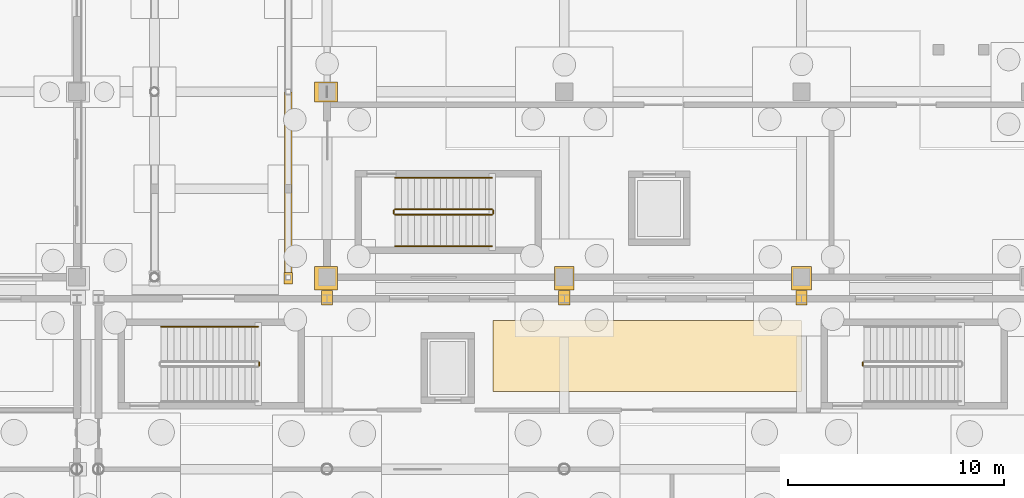
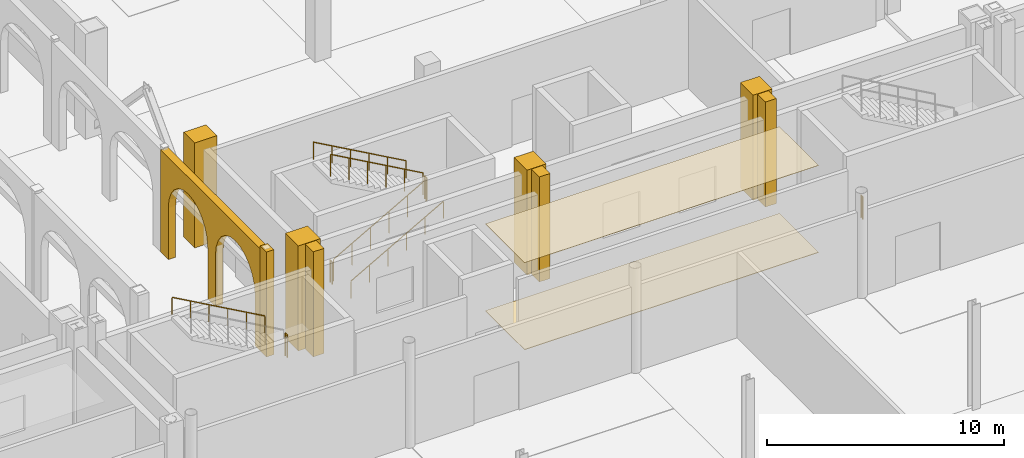
# One storey, part 75 of 83: 11 coverings, 9 railings.
"""IFC4 building model written with IfcOpenShell, lengths in metres."""

from ifc_helpers import new_model, si_unit, direction, frame, origin, origin_2d, place, context, subcontext, project, spatial, polyline, rectangle, circle, outline, extrude, material, layer, layer_set, type_object, element, save


model = new_model("IFC4")

# Units and contexts
model_context = context("Model", 3, precision=1e-05, world=origin(), true_north=direction((0.0, 1.0)))
body_context = subcontext(model_context, "Body", "Model", "MODEL_VIEW")
ifc_project = project(units=[si_unit("LENGTHUNIT", "METRE"), si_unit("AREAUNIT", "SQUARE_METRE"), si_unit("VOLUMEUNIT", "CUBIC_METRE"), si_unit("PLANEANGLEUNIT", "RADIAN"), si_unit("MASSUNIT", "GRAM", prefix="KILO")], contexts=[model_context])

# Site, building, storey
site_placement = place(None, origin())
site = spatial("IfcSite", under=ifc_project, at=site_placement, CompositionType="ELEMENT")
building_placement = place(site_placement, origin())
building = spatial("IfcBuilding", under=site, at=building_placement, Name="Caurita Quay Ferry Terminal", CompositionType="ELEMENT")
storey_placement = place(building_placement, origin())
storey = spatial("IfcBuildingStorey", under=building, at=storey_placement, Name="L00", CompositionType="ELEMENT", Elevation=0.0)

# Coverings
ifc_material_1 = material(Name="Warm-white lime stucco masonry", Category="masonry")
ifc_layer_1 = layer(ifc_material_1, 0.360107421875, Name="Spanish Colonial semicircular lime-stucco portales arcade 360 mm")
ifc_layer_set_1 = layer_set([ifc_layer_1], Name="Warm-white lime stucco masonry")
covering_type_1 = type_object("IfcCoveringType", Name="COV-ARC-CLD", PredefinedType="CLADDING", material=ifc_layer_set_1)
covering_1_placement = place(storey_placement, frame((97.39990234375, 71.60009765625, 0.0), z_axis=(0.0, 0.0, 1.0), x_axis=(0.0, 1.0, 0.0)))
element("IfcCovering", 1, at=covering_1_placement, inside=storey, type_object=covering_type_1, Name="Forecourt Portico Semicircular Arcade 034", PredefinedType="CLADDING", context=body_context, shape_type="SweptSolid", body=[
    extrude(outline(polyline([(0.0, 0.0), (0.64990234375, 0.0), (0.64990234375, 2.64990234375), (0.70654296875, 3.10302734375), (0.872802734375, 3.52490234375), (1.136962890625, 3.887451171875), (1.481201171875, 4.16552734375), (1.882080078125, 4.34033203125), (2.3125, 4.39990234375), (2.74267578125, 4.34033203125), (3.143798828125, 4.16552734375), (3.488037109375, 3.887451171875), (3.752197265625, 3.52490234375), (3.918212890625, 3.10302734375), (3.974853515625, 2.64990234375), (3.974853515625, 0.0), (4.625, 0.0), (4.625, 2.64990234375), (4.681640625, 3.10302734375), (4.84765625, 3.52490234375), (5.11181640625, 3.887451171875), (5.4560546875, 4.16552734375), (5.857177734375, 4.34033203125), (6.287353515625, 4.39990234375), (6.7177734375, 4.34033203125), (7.11865234375, 4.16552734375), (7.462890625, 3.887451171875), (7.72705078125, 3.52490234375), (7.893310546875, 3.10302734375), (7.949951171875, 2.64990234375), (7.949951171875, 0.0), (8.599853515625, 0.0), (8.599853515625, 5.260009765625), (0.0, 5.260009765625), (0.0, 0.0)])), frame((0.0, 0.18017578125, 0.0), z_axis=(0.0, -1.0, 0.0), x_axis=(1.0, 0.0, 0.0)), (0.0, 0.0, 1.0), 0.360107421875),
])
ifc_material_2 = material(Name="Acoustic mineral fibre tile", Category="finish")
ifc_layer_2 = layer(ifc_material_2, 0.02001953125, Name="Acoustic mineral-fibre suspended ceiling 20 mm")
ifc_layer_set_2 = layer_set([ifc_layer_2], Name="Acoustic mineral fibre tile")
covering_type_2 = type_object("IfcCoveringType", Name="COV-CEIL-020", PredefinedType="CEILING", material=ifc_layer_set_2)
covering_2_placement = place(storey_placement, frame((0.0, 0.0, 4.4697265625)))
element("IfcCovering", 2, at=covering_2_placement, inside=storey, type_object=covering_type_2, Name="Agricultural Biosecurity Quarantine Store Acoustic Ceiling", PredefinedType="CEILING", context=body_context, shape_type="SweptSolid", body=[
    extrude(outline(polyline([(106.89990234375, 66.300048828125), (121.199951171875, 66.300048828125), (121.199951171875, 69.60009765625), (106.89990234375, 69.60009765625), (106.89990234375, 66.300048828125)])), origin(), (0.0, 0.0, 1.0), 0.02001953125),
])
ifc_material_3 = material(Name="Polished marine terrazzo tile", Category="finish")
ifc_layer_3 = layer(ifc_material_3, 0.02490234375, Name="Polished marine terrazzo floor finish 25 mm")
ifc_layer_set_3 = layer_set([ifc_layer_3], Name="Polished marine terrazzo tile")
covering_type_3 = type_object("IfcCoveringType", Name="COV-FLR-025", PredefinedType="FLOORING", material=ifc_layer_set_3)
covering_3_placement = place(storey_placement, origin())
element("IfcCovering", 3, at=covering_3_placement, inside=storey, type_object=covering_type_3, Name="Agricultural Biosecurity Quarantine Store Terrazzo Flooring", PredefinedType="FLOORING", context=body_context, shape_type="SweptSolid", body=[
    extrude(outline(polyline([(106.89990234375, 66.300048828125), (121.199951171875, 66.300048828125), (121.199951171875, 69.60009765625), (106.89990234375, 69.60009765625), (106.89990234375, 66.300048828125)])), origin(), (0.0, 0.0, 1.0), 0.02490234375),
])
ifc_layer_4 = layer(ifc_material_1, 0.179931640625, Name="Classical engaged lime-stucco facade pilaster cladding 180 mm")
ifc_layer_set_4 = layer_set([ifc_layer_4], Name="Warm-white lime stucco masonry")
covering_type_4 = type_object("IfcCoveringType", Name="COV-PIL-CLD", PredefinedType="CLADDING", material=ifc_layer_set_4)
for number, where, z_axis, x_axis, name in (
    (4, (99.199951171875, 70.64990234375, 0.0), (0.0, 0.0, 1.0), (1.0, 0.0, 0.0), "L00 Classical Engaged Pilaster 0093"),
    (5, (110.199951171875, 70.64990234375, 0.0), (0.0, 0.0, 1.0), (1.0, 0.0, 0.0), "L00 Classical Engaged Pilaster 0100"),
    (6, (121.199951171875, 70.64990234375, 0.0), (0.0, 0.0, 1.0), (1.0, 0.0, 0.0), "L00 Classical Engaged Pilaster 0107"),
):
    element("IfcCovering", number, at=place(storey_placement, frame(where, z_axis=z_axis, x_axis=x_axis)), inside=storey, type_object=covering_type_4, Name=name, PredefinedType="CLADDING", context=body_context, shape_type="SweptSolid", body=[
        extrude(rectangle(XDim=0.518798828125, YDim=0.673583984375, at=origin_2d()), origin(), (0.0, 0.0, 1.0), 5.39990234375),
    ])
covering_4_placement = place(storey_placement, frame((99.14990234375, 71.550048828125, 0.0), z_axis=(0.0, 0.0, 1.0), x_axis=(1.0, 0.0, 0.0)))
element("IfcCovering", 7, at=covering_4_placement, inside=storey, type_object=covering_type_4, Name="L00 Classical Engaged Pilaster 0208", PredefinedType="CLADDING", context=body_context, shape_type="SweptSolid", body=[
    extrude(rectangle(XDim=1.080078125, YDim=1.080078125, at=origin_2d()), origin(), (0.0, 0.0, 1.0), 5.39990234375),
])
covering_5_placement = place(storey_placement, frame((99.14990234375, 80.199951171875, 0.0), z_axis=(0.0, 0.0, 1.0), x_axis=(1.0, 0.0, 0.0)))
element("IfcCovering", 8, at=covering_5_placement, inside=storey, type_object=covering_type_4, Name="L00 Classical Engaged Pilaster 0210", PredefinedType="CLADDING", context=body_context, shape_type="SweptSolid", body=[
    extrude(rectangle(XDim=1.080078125, YDim=0.919921875, at=origin_2d()), origin(), (0.0, 0.0, 1.0), 5.39990234375),
])
for number, where, z_axis, x_axis, name in (
    (9, (110.199951171875, 71.550048828125, 0.0), (0.0, 0.0, 1.0), (1.0, 0.0, 0.0), "L00 Classical Engaged Pilaster 0220"),
    (10, (121.199951171875, 71.550048828125, 0.0), (0.0, 0.0, 1.0), (1.0, 0.0, 0.0), "L00 Classical Engaged Pilaster 0224"),
):
    element("IfcCovering", number, at=place(storey_placement, frame(where, z_axis=z_axis, x_axis=x_axis)), inside=storey, type_object=covering_type_4, Name=name, PredefinedType="CLADDING", context=body_context, shape_type="SweptSolid", body=[
        extrude(rectangle(XDim=0.919921875, YDim=1.080078125, at=origin_2d()), origin(), (0.0, 0.0, 1.0), 5.39990234375),
    ])
covering_6_placement = place(storey_placement, frame((97.39990234375, 71.550048828125, 0.0), z_axis=(0.0, 0.0, 1.0), x_axis=(1.0, 0.0, 0.0)))
element("IfcCovering", 11, at=covering_6_placement, inside=storey, type_object=covering_type_4, Name="L00 Classical Engaged Pilaster 0407", PredefinedType="CLADDING", context=body_context, shape_type="SweptSolid", body=[
    extrude(rectangle(XDim=0.3740234375, YDim=0.533935546875, at=origin_2d()), origin(), (0.0, 0.0, 1.0), 5.39990234375),
])

# Railings
ifc_material_4 = material(Name="Bronze architectural metalwork", Category="metal")
railing_type_1 = type_object("IfcRailingType", Name="RL-HND-090", PredefinedType="HANDRAIL", material=ifc_material_4)
railing_1_placement = place(storey_placement, frame((96.0, 69.31005859375, 2.86865234375)))
element("IfcRailing", 12, at=railing_1_placement, inside=storey, type_object=railing_type_1, Name="L00 ST-08 stair handrail 2", PredefinedType="HANDRAIL", context=body_context, shape_type="SweptSolid", body=[
    extrude(circle(Radius=0.02392578125, at=origin_2d()), frame((0.0, 0.0, 0.8759765625), z_axis=(-0.871575537125, 0.0, 0.490261239633), x_axis=(0.0, -1.0, 0.0)), (0.0, 0.0, 1.0), 5.1630859375),
    extrude(circle(Radius=0.02099609375, at=origin_2d()), origin(), (0.0, 0.0, 1.0), 0.851806640625),
    extrude(circle(Radius=0.02099609375, at=origin_2d()), frame((-0.89990234375, 0.0, 0.50634765625)), (0.0, 0.0, 1.0), 0.851806640625),
    extrude(circle(Radius=0.02099609375, at=origin_2d()), frame((-1.800048828125, 0.0, 1.012451171875)), (0.0, 0.0, 1.0), 0.851806640625),
    extrude(circle(Radius=0.02099609375, at=origin_2d()), frame((-2.699951171875, 0.0, 1.518798828125)), (0.0, 0.0, 1.0), 0.851806640625),
    extrude(circle(Radius=0.02099609375, at=origin_2d()), frame((-3.60009765625, 0.0, 2.02490234375)), (0.0, 0.0, 1.0), 0.851806640625),
    extrude(circle(Radius=0.02099609375, at=origin_2d()), frame((-4.5, 0.0, 2.53125)), (0.0, 0.0, 1.0), 0.851806640625),
])
railing_2_placement = place(storey_placement, frame((102.35009765625, 73.050048828125, 0.168701171875)))
element("IfcRailing", 13, at=railing_2_placement, inside=storey, type_object=railing_type_1, Name="L00 ST-12 stair handrail 1", PredefinedType="HANDRAIL", context=body_context, shape_type="SweptSolid", body=[
    extrude(circle(Radius=0.02392578125, at=origin_2d()), frame((0.0, 0.0, 0.8759765625), z_axis=(0.871575537125, 0.0, 0.490261239633), x_axis=(0.0, 1.0, 0.0)), (0.0, 0.0, 1.0), 5.1630859375),
    extrude(circle(Radius=0.02099609375, at=origin_2d()), origin(), (0.0, 0.0, 1.0), 0.851806640625),
    extrude(circle(Radius=0.02099609375, at=origin_2d()), frame((0.89990234375, 0.0, 0.50634765625)), (0.0, 0.0, 1.0), 0.851806640625),
    extrude(circle(Radius=0.02099609375, at=origin_2d()), frame((1.800048828125, 0.0, 1.012451171875)), (0.0, 0.0, 1.0), 0.851806640625),
    extrude(circle(Radius=0.02099609375, at=origin_2d()), frame((2.699951171875, 0.0, 1.518798828125)), (0.0, 0.0, 1.0), 0.851806640625),
    extrude(circle(Radius=0.02099609375, at=origin_2d()), frame((3.60009765625, 0.0, 2.02490234375)), (0.0, 0.0, 1.0), 0.851806640625),
    extrude(circle(Radius=0.02099609375, at=origin_2d()), frame((4.5, 0.0, 2.53125)), (0.0, 0.0, 1.0), 0.851806640625),
])
railing_3_placement = place(storey_placement, frame((106.85009765625, 76.2099609375, 2.86865234375)))
element("IfcRailing", 14, at=railing_3_placement, inside=storey, type_object=railing_type_1, Name="L00 ST-12 stair handrail 2", PredefinedType="HANDRAIL", context=body_context, shape_type="SweptSolid", body=[
    extrude(circle(Radius=0.02392578125, at=origin_2d()), frame((0.0, 0.0, 0.8759765625), z_axis=(-0.871575537125, 0.0, 0.490261239633), x_axis=(0.0, -1.0, 0.0)), (0.0, 0.0, 1.0), 5.1630859375),
    extrude(circle(Radius=0.02099609375, at=origin_2d()), origin(), (0.0, 0.0, 1.0), 0.851806640625),
    extrude(circle(Radius=0.02099609375, at=origin_2d()), frame((-0.89990234375, 0.0, 0.50634765625)), (0.0, 0.0, 1.0), 0.851806640625),
    extrude(circle(Radius=0.02099609375, at=origin_2d()), frame((-1.800048828125, 0.0, 1.012451171875)), (0.0, 0.0, 1.0), 0.851806640625),
    extrude(circle(Radius=0.02099609375, at=origin_2d()), frame((-2.699951171875, 0.0, 1.518798828125)), (0.0, 0.0, 1.0), 0.851806640625),
    extrude(circle(Radius=0.02099609375, at=origin_2d()), frame((-3.60009765625, 0.0, 2.02490234375)), (0.0, 0.0, 1.0), 0.851806640625),
    extrude(circle(Radius=0.02099609375, at=origin_2d()), frame((-4.5, 0.0, 2.53125)), (0.0, 0.0, 1.0), 0.851806640625),
])
railing_type_2 = type_object("IfcRailingType", Name="RL-REJA-115", PredefinedType="BALUSTRADE", material=ifc_material_4)
for number, where, name in (
    (15, (96.050048828125, 67.5, 2.699951171875), "L00 ST-08 stair guard 2"),
    (16, (124.050048828125, 67.5, 0.0), "L00 ST-09 stair guard 4"),
):
    element("IfcRailing", number, at=place(storey_placement, frame(where)), inside=storey, type_object=railing_type_2, Name=name, PredefinedType="BALUSTRADE", context=body_context, shape_type="SweptSolid", body=[
        extrude(circle(Radius=0.02392578125, at=origin_2d()), frame((0.0, 0.0, 1.1259765625), z_axis=(0.0, 1.0, 0.0), x_axis=(-1.0, 0.0, 0.0)), (0.0, 0.0, 1.0), 0.159912109375),
        extrude(circle(Radius=0.02099609375, at=origin_2d()), origin(), (0.0, 0.0, 1.0), 1.101806640625),
        extrude(circle(Radius=0.02099609375, at=origin_2d()), frame((0.0, 0.159912109375, 0.0)), (0.0, 0.0, 1.0), 1.101806640625),
    ])
railing_4_placement = place(storey_placement, frame((102.35009765625, 74.5, 0.168701171875)))
element("IfcRailing", 17, at=railing_4_placement, inside=storey, type_object=railing_type_2, Name="L00 ST-12 stair guard 1", PredefinedType="BALUSTRADE", context=body_context, shape_type="SweptSolid", body=[
    extrude(circle(Radius=0.02392578125, at=origin_2d()), frame((0.0, 0.0, 1.1259765625), z_axis=(0.871575537125, 0.0, 0.490261239633), x_axis=(0.0, 1.0, 0.0)), (0.0, 0.0, 1.0), 5.1630859375),
    extrude(circle(Radius=0.02099609375, at=origin_2d()), origin(), (0.0, 0.0, 1.0), 1.101806640625),
    extrude(circle(Radius=0.02099609375, at=origin_2d()), frame((0.89990234375, 0.0, 0.50634765625)), (0.0, 0.0, 1.0), 1.101806640625),
    extrude(circle(Radius=0.02099609375, at=origin_2d()), frame((1.800048828125, 0.0, 1.012451171875)), (0.0, 0.0, 1.0), 1.101806640625),
    extrude(circle(Radius=0.02099609375, at=origin_2d()), frame((2.699951171875, 0.0, 1.518798828125)), (0.0, 0.0, 1.0), 1.101806640625),
    extrude(circle(Radius=0.02099609375, at=origin_2d()), frame((3.60009765625, 0.0, 2.02490234375)), (0.0, 0.0, 1.0), 1.101806640625),
    extrude(circle(Radius=0.02099609375, at=origin_2d()), frame((4.5, 0.0, 2.53125)), (0.0, 0.0, 1.0), 1.101806640625),
])
railing_5_placement = place(storey_placement, frame((106.89990234375, 74.550048828125, 2.699951171875)))
element("IfcRailing", 18, at=railing_5_placement, inside=storey, type_object=railing_type_2, Name="L00 ST-12 stair guard 2", PredefinedType="BALUSTRADE", context=body_context, shape_type="SweptSolid", body=[
    extrude(circle(Radius=0.02392578125, at=origin_2d()), frame((0.0, 0.0, 1.1259765625), z_axis=(0.0, 1.0, 0.0), x_axis=(-1.0, 0.0, 0.0)), (0.0, 0.0, 1.0), 0.159912109375),
    extrude(circle(Radius=0.02099609375, at=origin_2d()), origin(), (0.0, 0.0, 1.0), 1.101806640625),
    extrude(circle(Radius=0.02099609375, at=origin_2d()), frame((0.0, 0.159912109375, 0.0)), (0.0, 0.0, 1.0), 1.101806640625),
])
railing_6_placement = place(storey_placement, frame((106.85009765625, 74.760009765625, 2.86865234375)))
element("IfcRailing", 19, at=railing_6_placement, inside=storey, type_object=railing_type_2, Name="L00 ST-12 stair guard 3", PredefinedType="BALUSTRADE", context=body_context, shape_type="SweptSolid", body=[
    extrude(circle(Radius=0.02392578125, at=origin_2d()), frame((0.0, 0.0, 1.1259765625), z_axis=(-0.871575537125, 0.0, 0.490261239633), x_axis=(0.0, -1.0, 0.0)), (0.0, 0.0, 1.0), 5.1630859375),
    extrude(circle(Radius=0.02099609375, at=origin_2d()), origin(), (0.0, 0.0, 1.0), 1.101806640625),
    extrude(circle(Radius=0.02099609375, at=origin_2d()), frame((-0.89990234375, 0.0, 0.50634765625)), (0.0, 0.0, 1.0), 1.101806640625),
    extrude(circle(Radius=0.02099609375, at=origin_2d()), frame((-1.800048828125, 0.0, 1.012451171875)), (0.0, 0.0, 1.0), 1.101806640625),
    extrude(circle(Radius=0.02099609375, at=origin_2d()), frame((-2.699951171875, 0.0, 1.518798828125)), (0.0, 0.0, 1.0), 1.101806640625),
    extrude(circle(Radius=0.02099609375, at=origin_2d()), frame((-3.60009765625, 0.0, 2.02490234375)), (0.0, 0.0, 1.0), 1.101806640625),
    extrude(circle(Radius=0.02099609375, at=origin_2d()), frame((-4.5, 0.0, 2.53125)), (0.0, 0.0, 1.0), 1.101806640625),
])
railing_7_placement = place(storey_placement, frame((102.300048828125, 74.550048828125, 0.0)))
element("IfcRailing", 20, at=railing_7_placement, inside=storey, type_object=railing_type_2, Name="L00 ST-12 stair guard 4", PredefinedType="BALUSTRADE", context=body_context, shape_type="SweptSolid", body=[
    extrude(circle(Radius=0.02392578125, at=origin_2d()), frame((0.0, 0.0, 1.1259765625), z_axis=(0.0, 1.0, 0.0), x_axis=(-1.0, 0.0, 0.0)), (0.0, 0.0, 1.0), 0.159912109375),
    extrude(circle(Radius=0.02099609375, at=origin_2d()), origin(), (0.0, 0.0, 1.0), 1.101806640625),
    extrude(circle(Radius=0.02099609375, at=origin_2d()), frame((0.0, 0.159912109375, 0.0)), (0.0, 0.0, 1.0), 1.101806640625),
])

save(model, "model.ifc")
